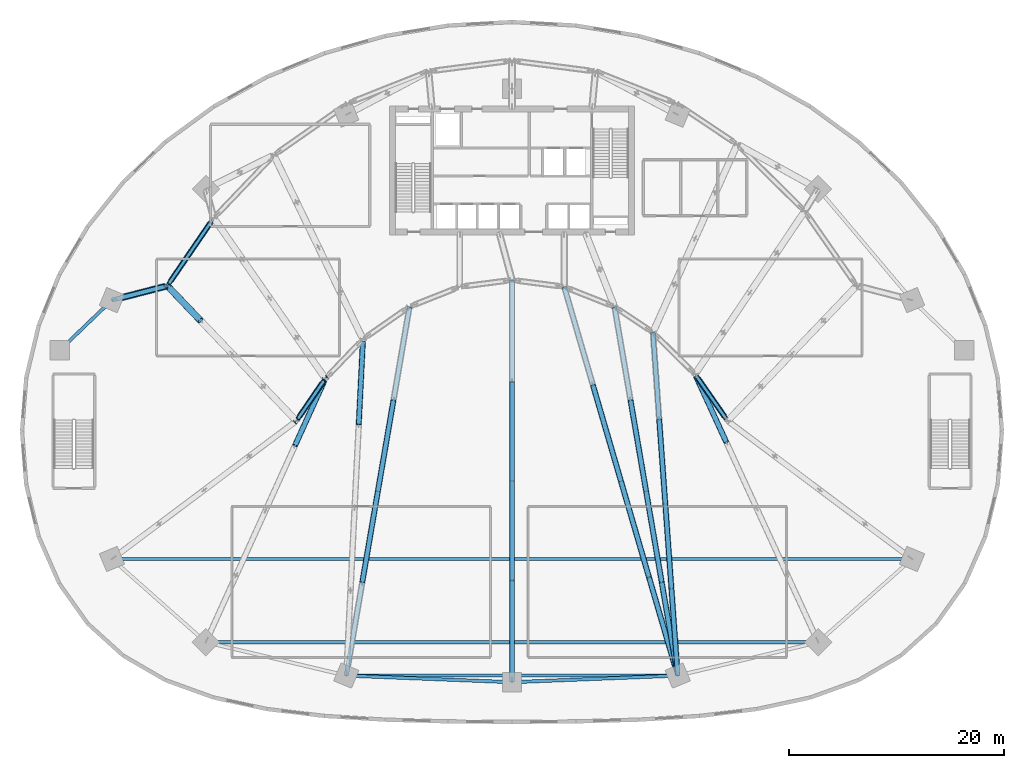
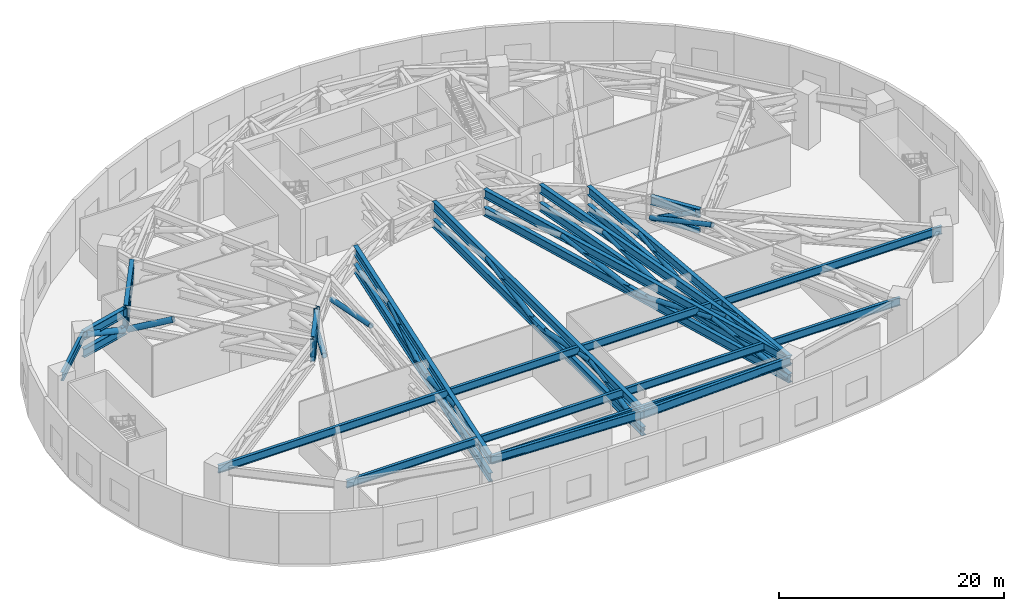
# One storey, part 2 of 19: 28 members, 21 beams.
"""IFC4 building model written with IfcOpenShell, lengths in metres."""

from ifc_helpers import new_model, si_unit, direction, frame, origin, origin_2d, place, context, subcontext, project, spatial, hollow_rectangle, hollow_circle, i_section, extrude, source, transform, mapped, material, material_profile, profile_set, type_object, type_shapes, element, save


model = new_model("IFC4")

# Units and contexts
model_context = context("Model", 3, precision=1e-05, world=origin(), true_north=direction((0.0, 1.0)))
body_context = subcontext(model_context, "Body", "Model", "MODEL_VIEW")
ifc_project = project(units=[si_unit("LENGTHUNIT", "METRE"), si_unit("AREAUNIT", "SQUARE_METRE"), si_unit("VOLUMEUNIT", "CUBIC_METRE"), si_unit("PLANEANGLEUNIT", "RADIAN"), si_unit("MASSUNIT", "GRAM", prefix="KILO")], contexts=[model_context])

# Site, building, storey
site_placement = place(None, origin())
site = spatial("IfcSite", under=ifc_project, at=site_placement, CompositionType="ELEMENT")
building_placement = place(site_placement, origin())
building = spatial("IfcBuilding", under=site, at=building_placement, Name="Breltana Convention Tower", CompositionType="ELEMENT")
storey_placement = place(building_placement, frame((0.0, 0.0, 24.0)))
storey = spatial("IfcBuildingStorey", under=building, at=storey_placement, Name="L04", CompositionType="ELEMENT", Elevation=24.0)

# Members
ifc_material_1 = material(Name="Steel ASTM A992 Grade 50", Category="steel")
ifc_material_profile_1 = material_profile(ifc_material_1, i_section(OverallWidth=0.4208984375, OverallDepth=0.465087890625, WebThickness=0.044921875, FlangeThickness=0.072265625, at=origin_2d()), Name="W14X398")
ifc_profile_set_1 = profile_set([ifc_material_profile_1], Name="Steel ASTM A992 Grade 50")
member_type_1 = type_object("IfcMemberType", Name="MB-TR-POST-W14X398", PredefinedType="POST", material=ifc_profile_set_1)
shared_shape_1 = source(origin(), body_context, "Body", "SweptSolid", [
    extrude(i_section(OverallWidth=0.4208984375, OverallDepth=0.465087890625, WebThickness=0.044921875, FlangeThickness=0.072265625, at=origin_2d()), origin(), (0.0, 0.0, 1.0), 2.406494140625),
])
type_shapes(member_type_1, [shared_shape_1])
for number, where, z_axis, x_axis, name in (
    (1, (27.984619140625, 42.95458984375, 3.1435546875), (0.0, 0.0, 1.0), (-0.690756218984, 0.723087716626, 0.0), "L04 Transfer Truss Vertical R01-IN"),
    (2, (16.0068359375, 55.494384765625, 3.1435546875), (0.0, 0.0, 1.0), (-0.690756218984, 0.723087716626, 0.0), "L04 Transfer Truss Vertical R01-OUT"),
    (3, (30.67724609375, 46.892333984375, 3.1435546875), (0.0, 0.0, 1.0), (-0.571143442153, 0.820850271661, 0.0), "L04 Transfer Truss Vertical R02-IN"),
):
    element("IfcMember", number, at=place(storey_placement, frame(where, z_axis=z_axis, x_axis=x_axis)), inside=storey, type_object=member_type_1, Name=name, PredefinedType="POST", context=body_context, shape_type="MappedRepresentation", body=[
        mapped(shared_shape_1, transform((0.0, 0.0, 0.0), scale=1.0)),
    ])
ifc_material_2 = material(Name="Steel EN 10210 S355J2H", Category="steel")
ifc_material_profile_2 = material_profile(ifc_material_2, hollow_circle(Radius=0.304931640625, WallThickness=0.02490234375, at=origin_2d()), Name="CHS610X25")
ifc_profile_set_2 = profile_set([ifc_material_profile_2], Name="Steel EN 10210 S355J2H")
member_type_2 = type_object("IfcMemberType", Name="MB-BR-CHS610X25", PredefinedType="BRACE", material=ifc_profile_set_2)
shared_shape_2 = source(origin(), body_context, "Body", "SweptSolid", [
    extrude(hollow_circle(Radius=0.304931640625, WallThickness=0.02490234375, at=origin_2d()), origin(), (0.0, 0.0, 1.0), 4.646240234375),
])
type_shapes(member_type_2, [shared_shape_2])
member_1_placement = place(storey_placement, frame((19.0771484375, 52.27978515625, 5.075927734375), z_axis=(-0.628140326004, 0.657618887397, -0.415905193268), x_axis=(-0.723128566496, -0.690713454566, 0.0)))
element("IfcMember", 4, at=member_1_placement, inside=storey, type_object=member_type_2, Name="L04 Transfer Truss Diagonal R01-2.4", PredefinedType="BRACE", context=body_context, shape_type="MappedRepresentation", body=[
    mapped(shared_shape_2, transform((0.0, 0.0, 0.0), scale=1.0)),
])

# Beams
ifc_material_profile_3 = material_profile(ifc_material_1, i_section(OverallWidth=0.423095703125, OverallDepth=0.947998046875, WebThickness=0.02392578125, FlangeThickness=0.042724609375, at=origin_2d()), Name="W36X302")
ifc_profile_set_3 = profile_set([ifc_material_profile_3], Name="Steel ASTM A992 Grade 50")
beam_type_1 = type_object("IfcBeamType", Name="BM-TR-W36X302", PredefinedType="USERDEFINED", material=ifc_profile_set_3)
shared_shape_3 = source(origin(), body_context, "Body", "SweptSolid", [
    extrude(i_section(OverallWidth=0.423095703125, OverallDepth=0.947998046875, WebThickness=0.02392578125, FlangeThickness=0.042724609375, at=origin_2d()), origin(), (0.0, 0.0, 1.0), 5.314697265625),
])
beam_1_placement = place(storey_placement, frame((16.0068359375, 55.494384765625, 5.075927734375), z_axis=(-0.968413424383, -0.249350034038, 0.0), x_axis=(0.249350034038, -0.968413424383, 0.0)))
element("IfcBeam", 5, at=beam_1_placement, inside=storey, type_object=beam_type_1, Name="L04 Transfer Top Chord R01-3", ObjectType="GIRDER", PredefinedType="USERDEFINED", context=body_context, shape_type="MappedRepresentation", body=[
    mapped(shared_shape_3, transform((0.0, 0.0, 0.0), scale=1.0)),
])
ifc_material_profile_4 = material_profile(ifc_material_1, i_section(OverallWidth=0.41796875, OverallDepth=0.927001953125, WebThickness=0.019287109375, FlangeThickness=0.031982421875, at=origin_2d()), Name="W36X231")
ifc_profile_set_4 = profile_set([ifc_material_profile_4], Name="Steel ASTM A992 Grade 50")
beam_type_2 = type_object("IfcBeamType", Name="BM-TR-W36X231", PredefinedType="USERDEFINED", material=ifc_profile_set_4)
shared_shape_4 = source(origin(), body_context, "Body", "SweptSolid", [
    extrude(i_section(OverallWidth=0.41796875, OverallDepth=0.927001953125, WebThickness=0.019287109375, FlangeThickness=0.031982421875, at=origin_2d()), origin(), (0.0, 0.0, 1.0), 5.314697265625),
])
beam_2_placement = place(storey_placement, frame((16.0068359375, 55.494384765625, 3.1435546875), z_axis=(-0.968413424383, -0.249350034038, 0.0), x_axis=(0.249350034038, -0.968413424383, 0.0)))
element("IfcBeam", 6, at=beam_2_placement, inside=storey, type_object=beam_type_2, Name="L04 Transfer Bottom Chord R01-3", ObjectType="GIRDER", PredefinedType="USERDEFINED", context=body_context, shape_type="MappedRepresentation", body=[
    mapped(shared_shape_4, transform((0.0, 0.0, 0.0), scale=1.0)),
])

# Members
shared_shape_5 = source(origin(), body_context, "Body", "SweptSolid", [
    extrude(hollow_circle(Radius=0.304931640625, WallThickness=0.02490234375, at=origin_2d()), origin(), (0.0, 0.0, 1.0), 5.24365234375),
])
member_2_placement = place(storey_placement, frame((15.793701171875, 55.439453125, 3.1435546875), z_axis=(-0.900266022574, -0.231771010569, 0.368514975624), x_axis=(0.249317526395, -0.968421793968, 0.0)))
element("IfcMember", 7, at=member_2_placement, inside=storey, type_object=member_type_2, Name="L04 Transfer Truss Diagonal R01-3.1", PredefinedType="BRACE", context=body_context, shape_type="MappedRepresentation", body=[
    mapped(shared_shape_5, transform((0.0, 0.0, 0.0), scale=1.0)),
])
ifc_material_profile_5 = material_profile(ifc_material_2, hollow_circle(Radius=0.25390625, WallThickness=0.02001953125, at=origin_2d()), Name="CHS508X20")
ifc_profile_set_5 = profile_set([ifc_material_profile_5], Name="Steel EN 10210 S355J2H")
member_type_3 = type_object("IfcMemberType", Name="MB-BR-CHS508X20", PredefinedType="BRACE", material=ifc_profile_set_5)
shared_shape_6 = source(origin(), body_context, "Body", "SweptSolid", [
    extrude(hollow_circle(Radius=0.25390625, WallThickness=0.02001953125, at=origin_2d()), origin(), (0.0, 0.0, 1.0), 6.88671875),
])
member_3_placement = place(storey_placement, frame((27.85595703125, 40.672119140625, 5.075927734375), z_axis=(0.396452026694, 0.874123010122, -0.280597137734), x_axis=(-0.910710216332, 0.413045883491, 0.0)))
element("IfcMember", 8, at=member_3_placement, inside=storey, type_object=member_type_3, Name="L04 Transfer Truss Diagonal R02-1.4", PredefinedType="BRACE", context=body_context, shape_type="MappedRepresentation", body=[
    mapped(shared_shape_6, transform((0.0, 0.0, 0.0), scale=1.0)),
])
shared_shape_7 = source(origin(), body_context, "Body", "SweptSolid", [
    extrude(hollow_circle(Radius=0.25390625, WallThickness=0.02001953125, at=origin_2d()), origin(), (0.0, 0.0, 1.0), 7.9462890625),
])
member_4_placement = place(storey_placement, frame((33.773193359375, 42.626953125, 5.075927734375), z_axis=(0.0480830319, 0.968788601831, -0.243180317883), x_axis=(-0.998770597213, 0.049571101885, 0.0)))
element("IfcMember", 9, at=member_4_placement, inside=storey, type_object=member_type_3, Name="L04 Transfer Truss Diagonal R03-1.4", PredefinedType="BRACE", context=body_context, shape_type="MappedRepresentation", body=[
    mapped(shared_shape_7, transform((0.0, 0.0, 0.0), scale=1.0)),
])

# Beams
shared_shape_8 = source(origin(), body_context, "Body", "SweptSolid", [
    extrude(i_section(OverallWidth=0.423095703125, OverallDepth=0.947998046875, WebThickness=0.02392578125, FlangeThickness=0.042724609375, at=origin_2d()), origin(), (0.0, 0.0, 1.0), 34.744384765625),
])
for number, where, z_axis, x_axis, name in (
    (10, (32.6162109375, 19.3125, 5.075927734375), (0.16891642186, 0.985630378198, 0.0), (-0.985630378198, 0.16891642186, 0.0), "L04 Transfer Top Chord R04-1"),
    (11, (63.3837890625, 19.3125, 5.075927734375), (-0.16891642186, 0.985630378198, 0.0), (-0.985630378198, -0.16891642186, 0.0), "L04 Transfer Top Chord R08-1"),
):
    element("IfcBeam", number, at=place(storey_placement, frame(where, z_axis=z_axis, x_axis=x_axis)), inside=storey, type_object=beam_type_1, Name=name, ObjectType="GIRDER", PredefinedType="USERDEFINED", context=body_context, shape_type="MappedRepresentation", body=[
        mapped(shared_shape_8, transform((0.0, 0.0, 0.0), scale=1.0)),
    ])
shared_shape_9 = source(origin(), body_context, "Body", "SweptSolid", [
    extrude(i_section(OverallWidth=0.41796875, OverallDepth=0.927001953125, WebThickness=0.019287109375, FlangeThickness=0.031982421875, at=origin_2d()), origin(), (0.0, 0.0, 1.0), 34.744384765625),
])
for number, where, z_axis, x_axis, name in (
    (12, (32.6162109375, 19.3125, 3.1435546875), (0.16891642186, 0.985630378198, 0.0), (-0.985630378198, 0.16891642186, 0.0), "L04 Transfer Bottom Chord R04-1"),
    (13, (63.3837890625, 19.3125, 3.1435546875), (-0.16891642186, 0.985630378198, 0.0), (-0.985630378198, -0.16891642186, 0.0), "L04 Transfer Bottom Chord R08-1"),
):
    element("IfcBeam", number, at=place(storey_placement, frame(where, z_axis=z_axis, x_axis=x_axis)), inside=storey, type_object=beam_type_2, Name=name, ObjectType="GIRDER", PredefinedType="USERDEFINED", context=body_context, shape_type="MappedRepresentation", body=[
        mapped(shared_shape_9, transform((0.0, 0.0, 0.0), scale=1.0)),
    ])

# Members
shared_shape_10 = source(origin(), body_context, "Body", "SweptSolid", [
    extrude(hollow_circle(Radius=0.25390625, WallThickness=0.02001953125, at=origin_2d()), origin(), (0.0, 0.0, 1.0), 8.791259765625),
])
member_5_placement = place(storey_placement, frame((63.3466796875, 19.529296875, 3.1435546875), z_axis=(-0.16476302968, 0.961529603847, 0.219804378883), x_axis=(-0.985634307236, -0.168893494248, 0.0)))
element("IfcMember", 14, at=member_5_placement, inside=storey, type_object=member_type_3, Name="L04 Transfer Truss Diagonal R08-1.1", PredefinedType="BRACE", context=body_context, shape_type="MappedRepresentation", body=[
    mapped(shared_shape_10, transform((0.0, 0.0, 0.0), scale=1.0)),
])
shared_shape_11 = source(origin(), body_context, "Body", "SweptSolid", [
    extrude(hollow_circle(Radius=0.25390625, WallThickness=0.02001953125, at=origin_2d()), origin(), (0.0, 0.0, 1.0), 8.791015625),
])
for number, where, z_axis, x_axis, name in (
    (15, (34.101806640625, 27.982421875, 5.075927734375), (0.164798847124, 0.961521011988, -0.219815112064), (-0.98562794339, 0.168930628389, 0.0), "L04 Transfer Truss Diagonal R04-1.2"),
    (16, (35.550537109375, 36.43505859375, 3.1435546875), (0.164794446559, 0.961523108058, 0.219809242419), (-0.985628755771, 0.168925888477, 0.0), "L04 Transfer Truss Diagonal R04-1.3"),
    (17, (61.898193359375, 27.982421875, 5.075927734375), (-0.164798847124, 0.961521011988, -0.219815112064), (-0.98562794339, -0.168930628389, 0.0), "L04 Transfer Truss Diagonal R08-1.2"),
    (18, (60.449462890625, 36.43505859375, 3.1435546875), (-0.164794446559, 0.961523108058, 0.219809242419), (-0.985628755771, -0.168925888477, 0.0), "L04 Transfer Truss Diagonal R08-1.3"),
):
    element("IfcMember", number, at=place(storey_placement, frame(where, z_axis=z_axis, x_axis=x_axis)), inside=storey, type_object=member_type_3, Name=name, PredefinedType="BRACE", context=body_context, shape_type="MappedRepresentation", body=[
        mapped(shared_shape_11, transform((0.0, 0.0, 0.0), scale=1.0)),
    ])

# Beams
shared_shape_12 = source(origin(), body_context, "Body", "SweptSolid", [
    extrude(i_section(OverallWidth=0.423095703125, OverallDepth=0.947998046875, WebThickness=0.02392578125, FlangeThickness=0.042724609375, at=origin_2d()), origin(), (0.0, 0.0, 1.0), 37.3359375),
])
beam_3_placement = place(storey_placement, frame((48.0, 18.699951171875, 5.075927734375), z_axis=(0.0, 1.0, 0.0), x_axis=(-1.0, 0.0, 0.0)))
element("IfcBeam", 19, at=beam_3_placement, inside=storey, type_object=beam_type_1, Name="L04 Transfer Top Chord R06-1", ObjectType="GIRDER", PredefinedType="USERDEFINED", context=body_context, shape_type="MappedRepresentation", body=[
    mapped(shared_shape_12, transform((0.0, 0.0, 0.0), scale=1.0)),
])
shared_shape_13 = source(origin(), body_context, "Body", "SweptSolid", [
    extrude(i_section(OverallWidth=0.41796875, OverallDepth=0.927001953125, WebThickness=0.019287109375, FlangeThickness=0.031982421875, at=origin_2d()), origin(), (0.0, 0.0, 1.0), 37.3359375),
])
beam_4_placement = place(storey_placement, frame((48.0, 18.699951171875, 3.1435546875), z_axis=(0.0, 1.0, 0.0), x_axis=(-1.0, 0.0, 0.0)))
element("IfcBeam", 20, at=beam_4_placement, inside=storey, type_object=beam_type_2, Name="L04 Transfer Bottom Chord R06-1", ObjectType="GIRDER", PredefinedType="USERDEFINED", context=body_context, shape_type="MappedRepresentation", body=[
    mapped(shared_shape_13, transform((0.0, 0.0, 0.0), scale=1.0)),
])

# Members
shared_shape_14 = source(origin(), body_context, "Body", "SweptSolid", [
    extrude(hollow_circle(Radius=0.25390625, WallThickness=0.02001953125, at=origin_2d()), origin(), (0.0, 0.0, 1.0), 9.42431640625),
])
for number, where, z_axis, x_axis, name in (
    (21, (48.0, 18.919921875, 3.1435546875), (0.0, 0.978753523046, 0.205040340239), (-1.0, 0.0, 0.0), "L04 Transfer Truss Diagonal R06-1.1"),
    (22, (48.0, 37.367919921875, 3.1435546875), (0.0, 0.978753523046, 0.205040340239), (-1.0, 0.0, 0.0), "L04 Transfer Truss Diagonal R06-1.3"),
):
    element("IfcMember", number, at=place(storey_placement, frame(where, z_axis=z_axis, x_axis=x_axis)), inside=storey, type_object=member_type_3, Name=name, PredefinedType="BRACE", context=body_context, shape_type="MappedRepresentation", body=[
        mapped(shared_shape_14, transform((0.0, 0.0, 0.0), scale=1.0)),
    ])
shared_shape_15 = source(origin(), body_context, "Body", "SweptSolid", [
    extrude(hollow_circle(Radius=0.25390625, WallThickness=0.02001953125, at=origin_2d()), origin(), (0.0, 0.0, 1.0), 9.424072265625),
])
member_6_placement = place(storey_placement, frame((48.0, 28.14404296875, 5.075927734375), z_axis=(0.0, 0.978752433906, -0.205045539143), x_axis=(-1.0, 0.0, 0.0)))
element("IfcMember", 23, at=member_6_placement, inside=storey, type_object=member_type_3, Name="L04 Transfer Truss Diagonal R06-1.2", PredefinedType="BRACE", context=body_context, shape_type="MappedRepresentation", body=[
    mapped(shared_shape_15, transform((0.0, 0.0, 0.0), scale=1.0)),
])

# Beams
shared_shape_16 = source(origin(), body_context, "Body", "SweptSolid", [
    extrude(i_section(OverallWidth=0.423095703125, OverallDepth=0.947998046875, WebThickness=0.02392578125, FlangeThickness=0.042724609375, at=origin_2d()), origin(), (0.0, 0.0, 1.0), 37.604736328125),
])
beam_5_placement = place(storey_placement, frame((63.3837890625, 19.3125, 5.075927734375), z_axis=(-0.280213895954, 0.959937587822, 0.0), x_axis=(-0.959937587822, -0.280213895954, 0.0)))
element("IfcBeam", 24, at=beam_5_placement, inside=storey, type_object=beam_type_1, Name="L04 Transfer Top Chord R07-1", ObjectType="GIRDER", PredefinedType="USERDEFINED", context=body_context, shape_type="MappedRepresentation", body=[
    mapped(shared_shape_16, transform((0.0, 0.0, 0.0), scale=1.0)),
])
shared_shape_17 = source(origin(), body_context, "Body", "SweptSolid", [
    extrude(i_section(OverallWidth=0.41796875, OverallDepth=0.927001953125, WebThickness=0.019287109375, FlangeThickness=0.031982421875, at=origin_2d()), origin(), (0.0, 0.0, 1.0), 37.604736328125),
])
beam_6_placement = place(storey_placement, frame((63.3837890625, 19.3125, 3.1435546875), z_axis=(-0.280213895954, 0.959937587822, 0.0), x_axis=(-0.959937587822, -0.280213895954, 0.0)))
element("IfcBeam", 25, at=beam_6_placement, inside=storey, type_object=beam_type_2, Name="L04 Transfer Bottom Chord R07-1", ObjectType="GIRDER", PredefinedType="USERDEFINED", context=body_context, shape_type="MappedRepresentation", body=[
    mapped(shared_shape_17, transform((0.0, 0.0, 0.0), scale=1.0)),
])

# Members
shared_shape_18 = source(origin(), body_context, "Body", "SweptSolid", [
    extrude(hollow_circle(Radius=0.25390625, WallThickness=0.02001953125, at=origin_2d()), origin(), (0.0, 0.0, 1.0), 9.489990234375),
])
for number, where, z_axis, x_axis, name in (
    (26, (63.322265625, 19.523681640625, 3.1435546875), (-0.274343295038, 0.939826449207, 0.203622203697), (-0.959937584954, -0.28021390578, 0.0), "L04 Transfer Truss Diagonal R07-1.1"),
    (27, (60.71875, 28.442626953125, 5.075927734375), (-0.274343295038, 0.939826449207, -0.203622203697), (-0.959937584954, -0.28021390578, 0.0), "L04 Transfer Truss Diagonal R07-1.2"),
    (28, (58.115234375, 37.361572265625, 3.1435546875), (-0.274343295038, 0.939826449207, 0.203622203697), (-0.959937584954, -0.28021390578, 0.0), "L04 Transfer Truss Diagonal R07-1.3"),
):
    element("IfcMember", number, at=place(storey_placement, frame(where, z_axis=z_axis, x_axis=x_axis)), inside=storey, type_object=member_type_3, Name=name, PredefinedType="BRACE", context=body_context, shape_type="MappedRepresentation", body=[
        mapped(shared_shape_18, transform((0.0, 0.0, 0.0), scale=1.0)),
    ])

# Beams
shared_shape_19 = source(origin(), body_context, "Body", "SweptSolid", [
    extrude(i_section(OverallWidth=0.423095703125, OverallDepth=0.947998046875, WebThickness=0.02392578125, FlangeThickness=0.042724609375, at=origin_2d()), origin(), (0.0, 0.0, 1.0), 31.945068359375),
])
beam_7_placement = place(storey_placement, frame((63.3837890625, 19.3125, 5.075927734375), z_axis=(-0.072053563432, 0.997400763984, 0.0), x_axis=(-0.997400763984, -0.072053563432, 0.0)))
element("IfcBeam", 29, at=beam_7_placement, inside=storey, type_object=beam_type_1, Name="L04 Transfer Top Chord R09-1", ObjectType="GIRDER", PredefinedType="USERDEFINED", context=body_context, shape_type="MappedRepresentation", body=[
    mapped(shared_shape_19, transform((0.0, 0.0, 0.0), scale=1.0)),
])
shared_shape_20 = source(origin(), body_context, "Body", "SweptSolid", [
    extrude(i_section(OverallWidth=0.41796875, OverallDepth=0.927001953125, WebThickness=0.019287109375, FlangeThickness=0.031982421875, at=origin_2d()), origin(), (0.0, 0.0, 1.0), 31.945068359375),
])
beam_8_placement = place(storey_placement, frame((63.3837890625, 19.3125, 3.1435546875), z_axis=(-0.072053563432, 0.997400763984, 0.0), x_axis=(-0.997400763984, -0.072053563432, 0.0)))
element("IfcBeam", 30, at=beam_8_placement, inside=storey, type_object=beam_type_2, Name="L04 Transfer Bottom Chord R09-1", ObjectType="GIRDER", PredefinedType="USERDEFINED", context=body_context, shape_type="MappedRepresentation", body=[
    mapped(shared_shape_20, transform((0.0, 0.0, 0.0), scale=1.0)),
])

# Members
shared_shape_21 = source(origin(), body_context, "Body", "SweptSolid", [
    extrude(hollow_circle(Radius=0.25390625, WallThickness=0.02001953125, at=origin_2d()), origin(), (0.0, 0.0, 1.0), 8.10986328125),
])
for number, where, z_axis, x_axis, name in (
    (31, (63.367919921875, 19.531982421875, 3.1435546875), (-0.069962956239, 0.968673856665, 0.238277452078), (-0.997401898765, -0.072037853521, 0.0), "L04 Transfer Truss Diagonal R09-1.1"),
    (32, (62.800537109375, 27.3876953125, 5.075927734375), (-0.06999291333, 0.968671816009, -0.238276950111), (-0.997399671112, -0.072068689913, 0.0), "L04 Transfer Truss Diagonal R09-1.2"),
):
    element("IfcMember", number, at=place(storey_placement, frame(where, z_axis=z_axis, x_axis=x_axis)), inside=storey, type_object=member_type_3, Name=name, PredefinedType="BRACE", context=body_context, shape_type="MappedRepresentation", body=[
        mapped(shared_shape_21, transform((0.0, 0.0, 0.0), scale=1.0)),
    ])
shared_shape_22 = source(origin(), body_context, "Body", "SweptSolid", [
    extrude(hollow_circle(Radius=0.25390625, WallThickness=0.02001953125, at=origin_2d()), origin(), (0.0, 0.0, 1.0), 8.110107421875),
])
member_7_placement = place(storey_placement, frame((62.23291015625, 35.243408203125, 3.1435546875), z_axis=(-0.069990872299, 0.968673672619, 0.238270001827), x_axis=(-0.997399832101, -0.072066461857, 0.0)))
element("IfcMember", 33, at=member_7_placement, inside=storey, type_object=member_type_3, Name="L04 Transfer Truss Diagonal R09-1.3", PredefinedType="BRACE", context=body_context, shape_type="MappedRepresentation", body=[
    mapped(shared_shape_22, transform((0.0, 0.0, 0.0), scale=1.0)),
])
shared_shape_23 = source(origin(), body_context, "Body", "SweptSolid", [
    extrude(hollow_circle(Radius=0.25390625, WallThickness=0.02001953125, at=origin_2d()), origin(), (0.0, 0.0, 1.0), 7.007080078125),
])
member_8_placement = place(storey_placement, frame((67.8994140625, 40.973388671875, 5.075927734375), z_axis=(-0.401276221852, 0.873456074118, -0.275775053917), x_axis=(-0.908693196263, -0.417464579415, 0.0)))
element("IfcMember", 34, at=member_8_placement, inside=storey, type_object=member_type_3, Name="L04 Transfer Truss Diagonal R10-1.4", PredefinedType="BRACE", context=body_context, shape_type="MappedRepresentation", body=[
    mapped(shared_shape_23, transform((0.0, 0.0, 0.0), scale=1.0)),
])

# Beam
shared_shape_24 = source(origin(), body_context, "Body", "SweptSolid", [
    extrude(i_section(OverallWidth=0.41796875, OverallDepth=0.927001953125, WebThickness=0.019287109375, FlangeThickness=0.031982421875, at=origin_2d()), origin(), (0.0, 0.0, 1.0), 4.330322265625),
])
beam_9_placement = place(storey_placement, frame((28.108642578125, 43.13623046875, 5.075927734375), z_axis=(0.564471675929, 0.825452437802, 0.0), x_axis=(-0.825452437802, 0.564471675929, 0.0)))
element("IfcBeam", 35, at=beam_9_placement, inside=storey, type_object=beam_type_2, Name="L04 Transfer Ring Top Chord IN-01", ObjectType="GIRDER", PredefinedType="USERDEFINED", context=body_context, shape_type="MappedRepresentation", body=[
    mapped(shared_shape_24, transform((0.0, 0.0, 0.0), scale=1.0)),
])

# Members
ifc_material_profile_6 = material_profile(ifc_material_2, hollow_rectangle(XDim=0.300048828125, YDim=0.5, WallThickness=0.01611328125, at=origin_2d()), Name="RHS500X300X16")
ifc_profile_set_6 = profile_set([ifc_material_profile_6], Name="Steel EN 10210 S355J2H")
member_type_4 = type_object("IfcMemberType", Name="MB-CH-RHS500X300X16", PredefinedType="CHORD", material=ifc_profile_set_6)
shared_shape_25 = source(origin(), body_context, "Body", "SweptSolid", [
    extrude(hollow_rectangle(XDim=0.300048828125, YDim=0.5, WallThickness=0.01611328125, at=origin_2d()), origin(), (0.0, 0.0, 1.0), 4.270263671875),
])
type_shapes(member_type_4, [shared_shape_25])
member_9_placement = place(storey_placement, frame((28.12548828125, 43.1611328125, 3.1435546875), z_axis=(0.564503544713, 0.825430643971, 0.0), x_axis=(-0.825430643971, 0.564503544713, 0.0)))
element("IfcMember", 36, at=member_9_placement, inside=storey, type_object=member_type_4, Name="L04 Transfer Ring Bottom Chord IN-01", PredefinedType="CHORD", context=body_context, shape_type="MappedRepresentation", body=[
    mapped(shared_shape_25, transform((0.0, 0.0, 0.0), scale=1.0)),
])
shared_shape_26 = source(origin(), body_context, "Body", "SweptSolid", [
    extrude(hollow_circle(Radius=0.25390625, WallThickness=0.02001953125, at=origin_2d()), origin(), (0.0, 0.0, 1.0), 4.14794921875),
])
member_10_placement = place(storey_placement, frame((28.294921875, 43.40869140625, 3.1435546875), z_axis=(0.499463856457, 0.730420275587, 0.465856283745), x_axis=(-0.825463855914, 0.564454978347, 0.0)))
element("IfcMember", 37, at=member_10_placement, inside=storey, type_object=member_type_3, Name="L04 Transfer Belt Brace IN-01", PredefinedType="BRACE", context=body_context, shape_type="MappedRepresentation", body=[
    mapped(shared_shape_26, transform((0.0, 0.0, 0.0), scale=1.0)),
])

# Beam
shared_shape_27 = source(origin(), body_context, "Body", "SweptSolid", [
    extrude(i_section(OverallWidth=0.41796875, OverallDepth=0.927001953125, WebThickness=0.019287109375, FlangeThickness=0.031982421875, at=origin_2d()), origin(), (0.0, 0.0, 1.0), 7.18505859375),
])
beam_10_placement = place(storey_placement, frame((16.131103515625, 55.676025390625, 5.075927734375), z_axis=(0.564463414943, 0.825458086877, 0.0), x_axis=(-0.825458086877, 0.564463414943, 0.0)))
element("IfcBeam", 38, at=beam_10_placement, inside=storey, type_object=beam_type_2, Name="L04 Transfer Ring Top Chord OUT-01", ObjectType="GIRDER", PredefinedType="USERDEFINED", context=body_context, shape_type="MappedRepresentation", body=[
    mapped(shared_shape_27, transform((0.0, 0.0, 0.0), scale=1.0)),
])

# Members
shared_shape_28 = source(origin(), body_context, "Body", "SweptSolid", [
    extrude(hollow_rectangle(XDim=0.300048828125, YDim=0.5, WallThickness=0.01611328125, at=origin_2d()), origin(), (0.0, 0.0, 1.0), 7.125244140625),
])
member_11_placement = place(storey_placement, frame((16.14794921875, 55.70068359375, 3.1435546875), z_axis=(0.564466480703, 0.825455990446, 0.0), x_axis=(-0.825455990446, 0.564466480703, 0.0)))
element("IfcMember", 39, at=member_11_placement, inside=storey, type_object=member_type_4, Name="L04 Transfer Ring Bottom Chord OUT-01", PredefinedType="CHORD", context=body_context, shape_type="MappedRepresentation", body=[
    mapped(shared_shape_28, transform((0.0, 0.0, 0.0), scale=1.0)),
])
shared_shape_29 = source(origin(), body_context, "Body", "SweptSolid", [
    extrude(hollow_circle(Radius=0.25390625, WallThickness=0.02001953125, at=origin_2d()), origin(), (0.0, 0.0, 1.0), 6.80517578125),
])
member_12_placement = place(storey_placement, frame((16.3173828125, 55.948486328125, 3.1435546875), z_axis=(0.541218914834, 0.791486921587, 0.28395517108), x_axis=(-0.825465080883, 0.564453186937, 0.0)))
element("IfcMember", 40, at=member_12_placement, inside=storey, type_object=member_type_3, Name="L04 Transfer Belt Brace OUT-01", PredefinedType="BRACE", context=body_context, shape_type="MappedRepresentation", body=[
    mapped(shared_shape_29, transform((0.0, 0.0, 0.0), scale=1.0)),
])

# Beam
shared_shape_30 = source(origin(), body_context, "Body", "SweptSolid", [
    extrude(i_section(OverallWidth=0.41796875, OverallDepth=0.927001953125, WebThickness=0.019287109375, FlangeThickness=0.031982421875, at=origin_2d()), origin(), (0.0, 0.0, 1.0), 4.84619140625),
])
beam_11_placement = place(storey_placement, frame((65.12158203125, 47.113037109375, 5.075927734375), z_axis=(0.571225362916, -0.820793265543, 0.0), x_axis=(0.820793265543, 0.571225362916, 0.0)))
element("IfcBeam", 41, at=beam_11_placement, inside=storey, type_object=beam_type_2, Name="L04 Transfer Ring Top Chord IN-10", ObjectType="GIRDER", PredefinedType="USERDEFINED", context=body_context, shape_type="MappedRepresentation", body=[
    mapped(shared_shape_30, transform((0.0, 0.0, 0.0), scale=1.0)),
])

# Members
shared_shape_31 = source(origin(), body_context, "Body", "SweptSolid", [
    extrude(hollow_rectangle(XDim=0.300048828125, YDim=0.5, WallThickness=0.01611328125, at=origin_2d()), origin(), (0.0, 0.0, 1.0), 4.786376953125),
])
member_13_placement = place(storey_placement, frame((65.138671875, 47.08837890625, 3.1435546875), z_axis=(0.571245311201, -0.820779382314, 0.0), x_axis=(0.820779382314, 0.571245311201, 0.0)))
element("IfcMember", 42, at=member_13_placement, inside=storey, type_object=member_type_4, Name="L04 Transfer Ring Bottom Chord IN-10", PredefinedType="CHORD", context=body_context, shape_type="MappedRepresentation", body=[
    mapped(shared_shape_31, transform((0.0, 0.0, 0.0), scale=1.0)),
])
shared_shape_32 = source(origin(), body_context, "Body", "SweptSolid", [
    extrude(hollow_circle(Radius=0.25390625, WallThickness=0.02001953125, at=origin_2d()), origin(), (0.0, 0.0, 1.0), 4.61083984375),
])
member_14_placement = place(storey_placement, frame((65.31005859375, 46.84228515625, 3.1435546875), z_axis=(0.518628054452, -0.745246540727, 0.419085354874), x_axis=(0.820804156602, 0.571209713245, 0.0)))
element("IfcMember", 43, at=member_14_placement, inside=storey, type_object=member_type_3, Name="L04 Transfer Belt Brace IN-10", PredefinedType="BRACE", context=body_context, shape_type="MappedRepresentation", body=[
    mapped(shared_shape_32, transform((0.0, 0.0, 0.0), scale=1.0)),
])

# Beams
ifc_material_profile_7 = material_profile(ifc_material_1, i_section(OverallWidth=0.304931640625, OverallDepth=0.9189453125, WebThickness=0.017333984375, FlangeThickness=0.02783203125, at=origin_2d()), Name="W36X170")
ifc_profile_set_7 = profile_set([ifc_material_profile_7], Name="Steel ASTM A992 Grade 50")
beam_type_3 = type_object("IfcBeamType", Name="BM-PD-W36X170", PredefinedType="USERDEFINED", material=ifc_profile_set_7)
shared_shape_33 = source(origin(), body_context, "Body", "SweptSolid", [
    extrude(i_section(OverallWidth=0.304931640625, OverallDepth=0.9189453125, WebThickness=0.017333984375, FlangeThickness=0.02783203125, at=origin_2d()), origin(), (0.0, 0.0, 1.0), 6.739501953125),
])
type_shapes(beam_type_3, [shared_shape_33])
beam_12_placement = place(storey_placement, frame((10.860107421875, 54.169189453125, 5.090576171875), z_axis=(-0.721128840463, -0.692800978242, 0.0), x_axis=(0.692800978242, -0.721128840463, 0.0)))
element("IfcBeam", 44, at=beam_12_placement, inside=storey, type_object=beam_type_3, Name="L04 Garden Deck Perimeter Girder 08", ObjectType="GIRDER", PredefinedType="USERDEFINED", context=body_context, shape_type="MappedRepresentation", body=[
    mapped(shared_shape_33, transform((0.0, 0.0, 0.0), scale=1.0)),
])
shared_shape_34 = source(origin(), body_context, "Body", "SweptSolid", [
    extrude(i_section(OverallWidth=0.304931640625, OverallDepth=0.9189453125, WebThickness=0.017333984375, FlangeThickness=0.02783203125, at=origin_2d()), origin(), (0.0, 0.0, 1.0), 15.39599609375),
])
for number, where, z_axis, x_axis, name in (
    (45, (32.6162109375, 19.3125, 5.090576171875), (0.99920821229, -0.039786285226, 0.0), (0.039786285226, 0.99920821229, 0.0), "L04 Garden Deck Perimeter Girder 12"),
    (46, (48.0, 18.699951171875, 5.090576171875), (0.99920821229, 0.039786285226, 0.0), (-0.039786285226, 0.99920821229, 0.0), "L04 Garden Deck Perimeter Girder 13"),
):
    element("IfcBeam", number, at=place(storey_placement, frame(where, z_axis=z_axis, x_axis=x_axis)), inside=storey, type_object=beam_type_3, Name=name, ObjectType="GIRDER", PredefinedType="USERDEFINED", context=body_context, shape_type="MappedRepresentation", body=[
        mapped(shared_shape_34, transform((0.0, 0.0, 0.0), scale=1.0)),
    ])
ifc_material_profile_8 = material_profile(ifc_material_1, i_section(OverallWidth=0.2919921875, OverallDepth=0.845947265625, WebThickness=0.015380859375, FlangeThickness=0.0244140625, at=origin_2d()), Name="W33X141")
ifc_profile_set_8 = profile_set([ifc_material_profile_8], Name="Steel ASTM A992 Grade 50")
beam_type_4 = type_object("IfcBeamType", Name="BM-PD-W33X141", PredefinedType="USERDEFINED", material=ifc_profile_set_8)
shared_shape_35 = source(origin(), body_context, "Body", "SweptSolid", [
    extrude(i_section(OverallWidth=0.2919921875, OverallDepth=0.845947265625, WebThickness=0.015380859375, FlangeThickness=0.0244140625, at=origin_2d()), origin(), (0.0, 0.0, 1.0), 74.27978515625),
])
beam_13_placement = place(storey_placement, frame((10.860107421875, 30.136962890625, 5.126953125), z_axis=(1.0, 0.0, 0.0), x_axis=(0.0, 1.0, 0.0)))
element("IfcBeam", 47, at=beam_13_placement, inside=storey, type_object=beam_type_4, Name="L04 Garden Deck Span Girder 01", ObjectType="GIRDER", PredefinedType="USERDEFINED", context=body_context, shape_type="MappedRepresentation", body=[
    mapped(shared_shape_35, transform((0.0, 0.0, 0.0), scale=1.0)),
])
shared_shape_36 = source(origin(), body_context, "Body", "SweptSolid", [
    extrude(i_section(OverallWidth=0.2919921875, OverallDepth=0.845947265625, WebThickness=0.015380859375, FlangeThickness=0.0244140625, at=origin_2d()), origin(), (0.0, 0.0, 1.0), 56.8515625),
])
beam_14_placement = place(storey_placement, frame((19.57421875, 22.412109375, 5.126953125), z_axis=(1.0, 0.0, 0.0), x_axis=(0.0, 1.0, 0.0)))
element("IfcBeam", 48, at=beam_14_placement, inside=storey, type_object=beam_type_4, Name="L04 Garden Deck Span Girder 02", ObjectType="GIRDER", PredefinedType="USERDEFINED", context=body_context, shape_type="MappedRepresentation", body=[
    mapped(shared_shape_36, transform((0.0, 0.0, 0.0), scale=1.0)),
])
shared_shape_37 = source(origin(), body_context, "Body", "SweptSolid", [
    extrude(i_section(OverallWidth=0.2919921875, OverallDepth=0.845947265625, WebThickness=0.015380859375, FlangeThickness=0.0244140625, at=origin_2d()), origin(), (0.0, 0.0, 1.0), 30.767578125),
])
beam_15_placement = place(storey_placement, frame((32.6162109375, 19.3125, 5.126953125), z_axis=(1.0, 0.0, 0.0), x_axis=(0.0, 1.0, 0.0)))
element("IfcBeam", 49, at=beam_15_placement, inside=storey, type_object=beam_type_4, Name="L04 Garden Deck Span Girder 03", ObjectType="GIRDER", PredefinedType="USERDEFINED", context=body_context, shape_type="MappedRepresentation", body=[
    mapped(shared_shape_37, transform((0.0, 0.0, 0.0), scale=1.0)),
])

save(model, "model.ifc")
